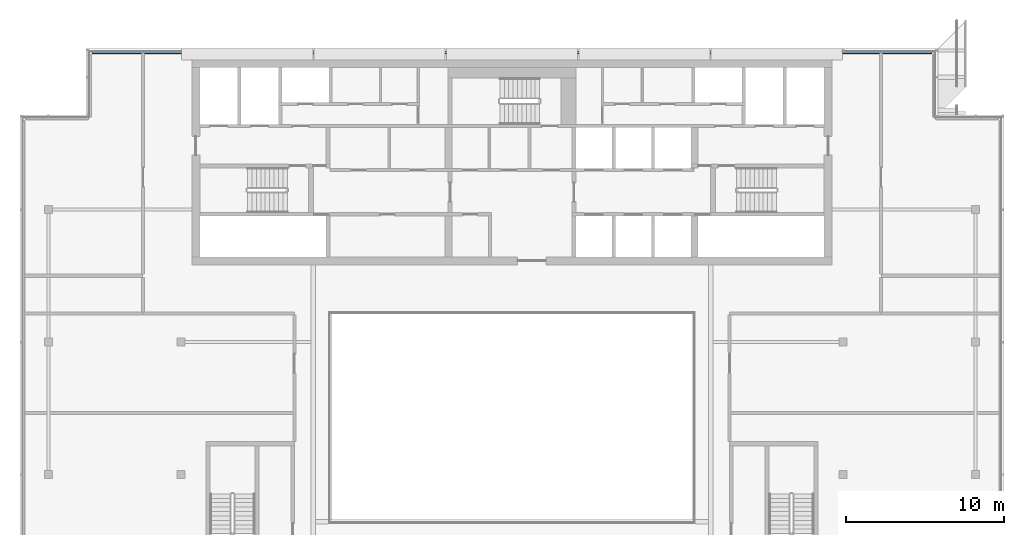
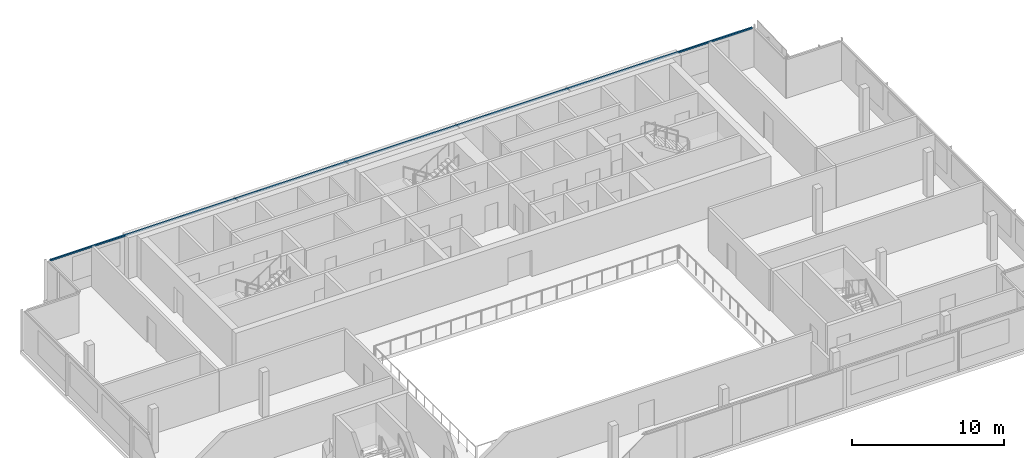
# One storey, part 8 of 19: 1 member, 1 element without a shape of its own.
"""IFC4 building model written with IfcOpenShell, lengths in metres."""

from ifc_helpers import new_model, si_unit, direction, frame, origin, origin_2d, place, context, subcontext, project, spatial, rectangle, extrude, material, material_profile, profile_set, type_object, element, aggregate, save


model = new_model("IFC4")

# Units and contexts
model_context = context("Model", 3, precision=1e-05, world=origin(), true_north=direction((0.0, 1.0)))
body_context = subcontext(model_context, "Body", "Model", "MODEL_VIEW")
ifc_project = project(units=[si_unit("LENGTHUNIT", "METRE"), si_unit("AREAUNIT", "SQUARE_METRE"), si_unit("VOLUMEUNIT", "CUBIC_METRE"), si_unit("PLANEANGLEUNIT", "RADIAN"), si_unit("MASSUNIT", "GRAM", prefix="KILO")], contexts=[model_context])

# Site, building, storey
site_placement = place(None, origin())
site = spatial("IfcSite", under=ifc_project, at=site_placement, CompositionType="ELEMENT")
building_placement = place(site_placement, origin())
building = spatial("IfcBuilding", under=site, at=building_placement, Name="Saffron Gate Tower", CompositionType="ELEMENT")
storey_placement = place(building_placement, frame((0.0, 0.0, 306.75)))
storey = spatial("IfcBuildingStorey", under=building, at=storey_placement, Name="L75", CompositionType="ELEMENT", Elevation=306.75)

# Curtain wall, member
ifc_material = material(Name="Aluminium, bronze anodised", Category="aluminium")
curtain_wall_type = type_object("IfcCurtainWallType", Name="CWS3 curtain wall rear facade", PredefinedType="NOTDEFINED", material=ifc_material)
curtain_wall_placement = place(storey_placement, origin())
curtain_wall = element("IfcCurtainWall", 1, at=curtain_wall_placement, inside=storey, type_object=curtain_wall_type, Name="CWS3 run 7", PredefinedType="NOTDEFINED")
ifc_material_profile = material_profile(ifc_material, rectangle(XDim=0.1201171875, YDim=0.1201171875, at=origin_2d()))
ifc_profile_set = profile_set([ifc_material_profile], Name="Aluminium, bronze anodised")
member_type = type_object("IfcMemberType", Name="CWS3 head transom", PredefinedType="USERDEFINED", material=ifc_profile_set)
member_placement = place(storey_placement, frame((114.23193359375, 75.35205078125, 3.239990234375), z_axis=(-1.0, 0.0, 0.0), x_axis=(0.0, -1.0, 0.0)))
member = element("IfcMember", 2, at=member_placement, type_object=member_type, Name="CWS3 head transom", ObjectType="TRANSOM", PredefinedType="USERDEFINED", context=body_context, shape_type="SweptSolid", body=[
    extrude(rectangle(XDim=0.1201171875, YDim=0.1201171875, at=origin_2d()), origin(), (0.0, 0.0, 1.0), 53.263916015625),
])
aggregate(curtain_wall, [member])

save(model, "model.ifc")
